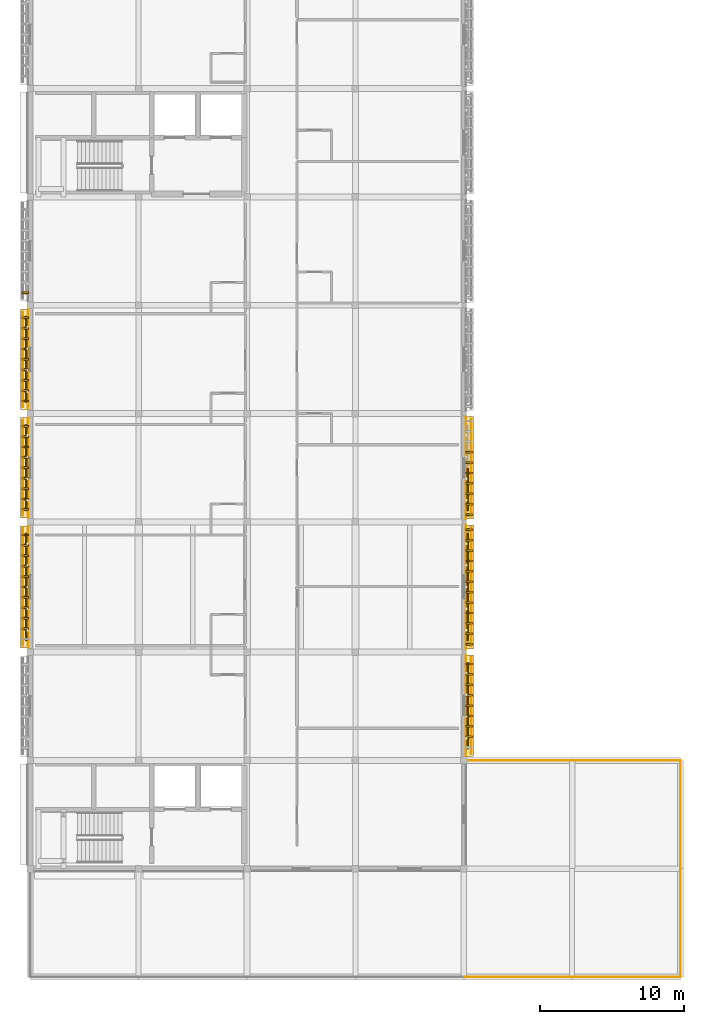
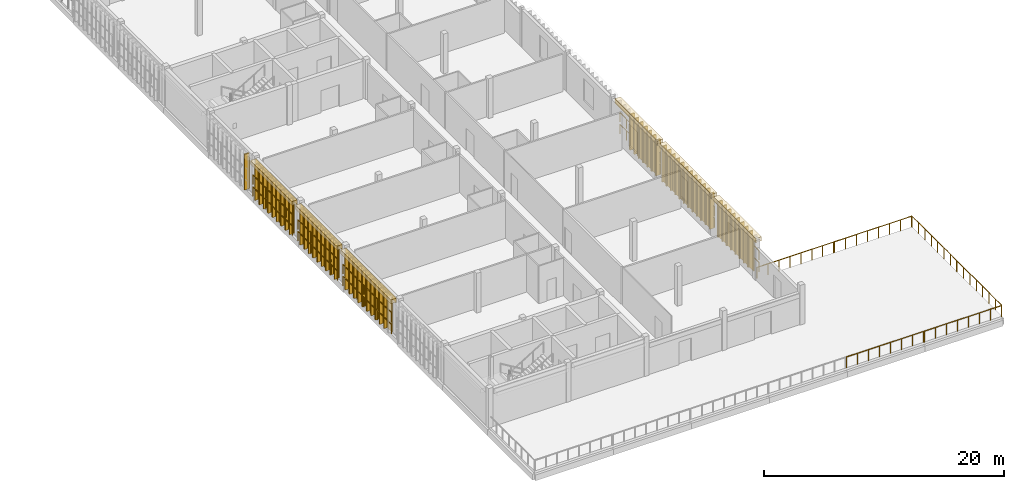
# One storey, part 10 of 13: 68 coverings, 24 shading devices, 18 railings.
"""IFC4 building model written with IfcOpenShell, lengths in metres."""

from ifc_helpers import new_model, si_unit, direction, frame, origin, origin_2d, place, context, subcontext, project, spatial, rectangle, circle, extrude, material, layer, layer_set, type_object, element, save


model = new_model("IFC4")

# Units and contexts
model_context = context("Model", 3, precision=1e-05, world=origin(), true_north=direction((0.0, 1.0)))
body_context = subcontext(model_context, "Body", "Model", "MODEL_VIEW")
ifc_project = project(units=[si_unit("LENGTHUNIT", "METRE"), si_unit("AREAUNIT", "SQUARE_METRE"), si_unit("VOLUMEUNIT", "CUBIC_METRE"), si_unit("PLANEANGLEUNIT", "RADIAN"), si_unit("MASSUNIT", "GRAM", prefix="KILO")], contexts=[model_context])

# Site, building, storey
site_placement = place(None, origin())
site = spatial("IfcSite", under=ifc_project, at=site_placement, CompositionType="ELEMENT")
building_placement = place(site_placement, origin())
building = spatial("IfcBuilding", under=site, at=building_placement, Name="Dalvernix Boulevard General Hospital", CompositionType="ELEMENT")
storey_placement = place(building_placement, frame((0.0, 0.0, 30.0)))
storey = spatial("IfcBuildingStorey", under=building, at=storey_placement, Name="L07", CompositionType="ELEMENT", Elevation=30.0)

# Coverings
ifc_material_1 = material(Name="Polychrome Catalan glazed ceramic spandrel tile panel")
ifc_layer_1 = layer(ifc_material_1, 0.044921875)
ifc_layer_set_1 = layer_set([ifc_layer_1], Name="Polychrome Catalan glazed ceramic spandrel tile panel (COV-CLD-01)")
covering_type_1 = type_object("IfcCoveringType", Name="COV-CLD-01", PredefinedType="CLADDING", material=ifc_layer_set_1)
covering_1_placement = place(storey_placement, frame((-0.159912109375, 27.0, 3.35498046875), z_axis=(0.0, 0.0, 1.0), x_axis=(0.0, 1.0, 0.0)))
element("IfcCovering", 1, at=covering_1_placement, inside=storey, type_object=covering_type_1, Name="L07 polychrome ceramic spandrel W 0-3", PredefinedType="CLADDING", context=body_context, shape_type="SweptSolid", body=[
    extrude(rectangle(XDim=8.429931640625, YDim=0.044921875, at=origin_2d()), origin(), (0.0, 0.0, 1.0), 0.449951171875),
])
for number, where, z_axis, x_axis, name in (
    (2, (-0.159912109375, 35.25, 3.35498046875), (0.0, 0.0, 1.0), (0.0, 1.0, 0.0), "L07 polychrome ceramic spandrel W 0-4"),
    (3, (-0.159912109375, 42.75, 3.35498046875), (0.0, 0.0, 1.0), (0.0, 1.0, 0.0), "L07 polychrome ceramic spandrel W 0-5"),
):
    element("IfcCovering", number, at=place(storey_placement, frame(where, z_axis=z_axis, x_axis=x_axis)), inside=storey, type_object=covering_type_1, Name=name, PredefinedType="CLADDING", context=body_context, shape_type="SweptSolid", body=[
        extrude(rectangle(XDim=6.929931640625, YDim=0.044921875, at=origin_2d()), origin(), (0.0, 0.0, 1.0), 0.449951171875),
    ])
covering_2_placement = place(storey_placement, frame((30.159912109375, 18.79248046875, 3.35498046875), z_axis=(0.0, 0.0, 1.0), x_axis=(0.0, -1.0, 0.0)))
element("IfcCovering", 4, at=covering_2_placement, inside=storey, type_object=covering_type_1, Name="L07 polychrome ceramic spandrel E 4-2", PredefinedType="CLADDING", context=body_context, shape_type="SweptSolid", body=[
    extrude(rectangle(XDim=7.014892578125, YDim=0.044921875, at=origin_2d()), origin(), (0.0, 0.0, 1.0), 0.449951171875),
])
covering_3_placement = place(storey_placement, frame((30.159912109375, 27.0, 3.35498046875), z_axis=(0.0, 0.0, 1.0), x_axis=(0.0, -1.0, 0.0)))
element("IfcCovering", 5, at=covering_3_placement, inside=storey, type_object=covering_type_1, Name="L07 polychrome ceramic spandrel E 4-3", PredefinedType="CLADDING", context=body_context, shape_type="SweptSolid", body=[
    extrude(rectangle(XDim=8.60009765625, YDim=0.044921875, at=origin_2d()), origin(), (0.0, 0.0, 1.0), 0.449951171875),
])
covering_4_placement = place(storey_placement, frame((30.159912109375, 35.25, 3.35498046875), z_axis=(0.0, 0.0, 1.0), x_axis=(0.0, -1.0, 0.0)))
element("IfcCovering", 6, at=covering_4_placement, inside=storey, type_object=covering_type_1, Name="L07 polychrome ceramic spandrel E 4-4", PredefinedType="CLADDING", context=body_context, shape_type="SweptSolid", body=[
    extrude(rectangle(XDim=7.10009765625, YDim=0.044921875, at=origin_2d()), origin(), (0.0, 0.0, 1.0), 0.449951171875),
])
ifc_material_2 = material(Name="Dressed ochre limestone classical plinth, stringcourse and corbelled cornice", Category="masonry")
ifc_layer_2 = layer(ifc_material_2, 0.449951171875)
ifc_layer_set_2 = layer_set([ifc_layer_2], Name="Dressed ochre limestone classical plinth, stringcourse and corbelled cornice (COV-CRN-01)")
covering_type_2 = type_object("IfcCoveringType", Name="COV-CRN-01", PredefinedType="CLADDING", material=ifc_layer_set_2)
covering_5_placement = place(storey_placement, frame((-0.39990234375, 27.0, 3.429931640625), z_axis=(0.0, 0.0, 1.0), x_axis=(0.0, 1.0, 0.0)))
element("IfcCovering", 7, at=covering_5_placement, inside=storey, type_object=covering_type_2, Name="L07 classical corbelled cornice frieze W 0-3", PredefinedType="CLADDING", context=body_context, shape_type="SweptSolid", body=[
    extrude(rectangle(XDim=8.429931640625, YDim=0.56005859375, at=origin_2d()), origin(), (0.0, 0.0, 1.0), 0.39990234375),
])
for number, where, z_axis, x_axis, name in (
    (8, (-0.39990234375, 35.25, 3.429931640625), (0.0, 0.0, 1.0), (0.0, 1.0, 0.0), "L07 classical corbelled cornice frieze W 0-4"),
    (9, (-0.39990234375, 42.75, 3.429931640625), (0.0, 0.0, 1.0), (0.0, 1.0, 0.0), "L07 classical corbelled cornice frieze W 0-5"),
):
    element("IfcCovering", number, at=place(storey_placement, frame(where, z_axis=z_axis, x_axis=x_axis)), inside=storey, type_object=covering_type_2, Name=name, PredefinedType="CLADDING", context=body_context, shape_type="SweptSolid", body=[
        extrude(rectangle(XDim=6.929931640625, YDim=0.56005859375, at=origin_2d()), origin(), (0.0, 0.0, 1.0), 0.39990234375),
    ])
covering_6_placement = place(storey_placement, frame((30.39990234375, 18.79248046875, 3.429931640625), z_axis=(0.0, 0.0, 1.0), x_axis=(0.0, -1.0, 0.0)))
element("IfcCovering", 10, at=covering_6_placement, inside=storey, type_object=covering_type_2, Name="L07 classical corbelled cornice frieze E 4-2", PredefinedType="CLADDING", context=body_context, shape_type="SweptSolid", body=[
    extrude(rectangle(XDim=7.014892578125, YDim=0.56005859375, at=origin_2d()), origin(), (0.0, 0.0, 1.0), 0.39990234375),
])
covering_7_placement = place(storey_placement, frame((30.39990234375, 27.0, 3.429931640625), z_axis=(0.0, 0.0, 1.0), x_axis=(0.0, -1.0, 0.0)))
element("IfcCovering", 11, at=covering_7_placement, inside=storey, type_object=covering_type_2, Name="L07 classical corbelled cornice frieze E 4-3", PredefinedType="CLADDING", context=body_context, shape_type="SweptSolid", body=[
    extrude(rectangle(XDim=8.60009765625, YDim=0.56005859375, at=origin_2d()), origin(), (0.0, 0.0, 1.0), 0.39990234375),
])
covering_8_placement = place(storey_placement, frame((30.39990234375, 35.25, 3.429931640625), z_axis=(0.0, 0.0, 1.0), x_axis=(0.0, -1.0, 0.0)))
element("IfcCovering", 12, at=covering_8_placement, inside=storey, type_object=covering_type_2, Name="L07 classical corbelled cornice frieze E 4-4", PredefinedType="CLADDING", context=body_context, shape_type="SweptSolid", body=[
    extrude(rectangle(XDim=7.10009765625, YDim=0.56005859375, at=origin_2d()), origin(), (0.0, 0.0, 1.0), 0.39990234375),
])
ifc_material_3 = material(Name="Preservative-treated West African iroko timber lattice screen", Category="wood")
ifc_layer_3 = layer(ifc_material_3, 0.1201171875)
ifc_layer_set_3 = layer_set([ifc_layer_3], Name="Preservative-treated West African iroko timber lattice screen (COV-TSCR-01)")
covering_type_3 = type_object("IfcCoveringType", Name="COV-TSCR-01", PredefinedType="CLADDING", material=ifc_layer_set_3)
for number, where, z_axis, x_axis, name in (
    (13, (-0.360107421875, 24.1201171875, 0.10009765625), (0.0, 0.0, 1.0), (0.0, 1.0, 0.0), "L07 upper-ward timber screen blade W 0-3-2"),
    (14, (-0.360107421875, 24.840087890625, 0.10009765625), (0.0, 0.0, 1.0), (0.0, 1.0, 0.0), "L07 upper-ward timber screen blade W 0-3-3"),
    (15, (-0.360107421875, 25.56005859375, 0.10009765625), (0.0, 0.0, 1.0), (0.0, 1.0, 0.0), "L07 upper-ward timber screen blade W 0-3-4"),
    (16, (-0.360107421875, 26.280029296875, 0.10009765625), (0.0, 0.0, 1.0), (0.0, 1.0, 0.0), "L07 upper-ward timber screen blade W 0-3-5"),
    (17, (-0.360107421875, 27.0, 0.10009765625), (0.0, 0.0, 1.0), (0.0, 1.0, 0.0), "L07 upper-ward timber screen blade W 0-3-6"),
    (18, (-0.360107421875, 27.719970703125, 0.10009765625), (0.0, 0.0, 1.0), (0.0, 1.0, 0.0), "L07 upper-ward timber screen blade W 0-3-7"),
    (19, (-0.360107421875, 28.43994140625, 0.10009765625), (0.0, 0.0, 1.0), (0.0, 1.0, 0.0), "L07 upper-ward timber screen blade W 0-3-8"),
    (20, (-0.360107421875, 29.159912109375, 0.10009765625), (0.0, 0.0, 1.0), (0.0, 1.0, 0.0), "L07 upper-ward timber screen blade W 0-3-9"),
    (21, (-0.360107421875, 29.8798828125, 0.10009765625), (0.0, 0.0, 1.0), (0.0, 1.0, 0.0), "L07 upper-ward timber screen blade W 0-3-10"),
    (22, (-0.360107421875, 30.60009765625, 0.10009765625), (0.0, 0.0, 1.0), (0.0, 1.0, 0.0), "L07 upper-ward timber screen blade W 0-3-11"),
    (23, (-0.360107421875, 32.3701171875, 0.10009765625), (0.0, 0.0, 1.0), (0.0, 1.0, 0.0), "L07 upper-ward timber screen blade W 0-4-1"),
    (24, (-0.360107421875, 33.090087890625, 0.10009765625), (0.0, 0.0, 1.0), (0.0, 1.0, 0.0), "L07 upper-ward timber screen blade W 0-4-2"),
    (25, (-0.360107421875, 33.81005859375, 0.10009765625), (0.0, 0.0, 1.0), (0.0, 1.0, 0.0), "L07 upper-ward timber screen blade W 0-4-3"),
    (26, (-0.360107421875, 34.530029296875, 0.10009765625), (0.0, 0.0, 1.0), (0.0, 1.0, 0.0), "L07 upper-ward timber screen blade W 0-4-4"),
    (27, (-0.360107421875, 35.25, 0.10009765625), (0.0, 0.0, 1.0), (0.0, 1.0, 0.0), "L07 upper-ward timber screen blade W 0-4-5"),
    (28, (-0.360107421875, 35.969970703125, 0.10009765625), (0.0, 0.0, 1.0), (0.0, 1.0, 0.0), "L07 upper-ward timber screen blade W 0-4-6"),
    (29, (-0.360107421875, 36.68994140625, 0.10009765625), (0.0, 0.0, 1.0), (0.0, 1.0, 0.0), "L07 upper-ward timber screen blade W 0-4-7"),
    (30, (-0.360107421875, 37.409912109375, 0.10009765625), (0.0, 0.0, 1.0), (0.0, 1.0, 0.0), "L07 upper-ward timber screen blade W 0-4-8"),
    (31, (-0.360107421875, 38.1298828125, 0.10009765625), (0.0, 0.0, 1.0), (0.0, 1.0, 0.0), "L07 upper-ward timber screen blade W 0-4-9"),
    (32, (-0.360107421875, 39.8701171875, 0.10009765625), (0.0, 0.0, 1.0), (0.0, 1.0, 0.0), "L07 upper-ward timber screen blade W 0-5-1"),
    (33, (-0.360107421875, 40.590087890625, 0.10009765625), (0.0, 0.0, 1.0), (0.0, 1.0, 0.0), "L07 upper-ward timber screen blade W 0-5-2"),
    (34, (-0.360107421875, 41.31005859375, 0.10009765625), (0.0, 0.0, 1.0), (0.0, 1.0, 0.0), "L07 upper-ward timber screen blade W 0-5-3"),
    (35, (-0.360107421875, 42.030029296875, 0.10009765625), (0.0, 0.0, 1.0), (0.0, 1.0, 0.0), "L07 upper-ward timber screen blade W 0-5-4"),
    (36, (-0.360107421875, 42.75, 0.10009765625), (0.0, 0.0, 1.0), (0.0, 1.0, 0.0), "L07 upper-ward timber screen blade W 0-5-5"),
    (37, (-0.360107421875, 43.469970703125, 0.10009765625), (0.0, 0.0, 1.0), (0.0, 1.0, 0.0), "L07 upper-ward timber screen blade W 0-5-6"),
    (38, (-0.360107421875, 44.18994140625, 0.10009765625), (0.0, 0.0, 1.0), (0.0, 1.0, 0.0), "L07 upper-ward timber screen blade W 0-5-7"),
    (39, (-0.360107421875, 44.909912109375, 0.10009765625), (0.0, 0.0, 1.0), (0.0, 1.0, 0.0), "L07 upper-ward timber screen blade W 0-5-8"),
    (40, (-0.360107421875, 45.6298828125, 0.10009765625), (0.0, 0.0, 1.0), (0.0, 1.0, 0.0), "L07 upper-ward timber screen blade W 0-5-9"),
    (41, (-0.360107421875, 47.3701171875, 0.10009765625), (0.0, 0.0, 1.0), (0.0, 1.0, 0.0), "L07 upper-ward timber screen blade W 0-6-1"),
    (42, (30.360107421875, 21.672607421875, 0.10009765625), (0.0, 0.0, 1.0), (0.0, -1.0, 0.0), "L07 upper-ward timber screen blade E 4-2-1"),
    (43, (30.360107421875, 20.952392578125, 0.10009765625), (0.0, 0.0, 1.0), (0.0, -1.0, 0.0), "L07 upper-ward timber screen blade E 4-2-2"),
    (44, (30.360107421875, 20.232421875, 0.10009765625), (0.0, 0.0, 1.0), (0.0, -1.0, 0.0), "L07 upper-ward timber screen blade E 4-2-3"),
    (45, (30.360107421875, 19.512451171875, 0.10009765625), (0.0, 0.0, 1.0), (0.0, -1.0, 0.0), "L07 upper-ward timber screen blade E 4-2-4"),
    (46, (30.360107421875, 18.79248046875, 0.10009765625), (0.0, 0.0, 1.0), (0.0, -1.0, 0.0), "L07 upper-ward timber screen blade E 4-2-5"),
    (47, (30.360107421875, 18.072509765625, 0.10009765625), (0.0, 0.0, 1.0), (0.0, -1.0, 0.0), "L07 upper-ward timber screen blade E 4-2-6"),
    (48, (30.360107421875, 17.3525390625, 0.10009765625), (0.0, 0.0, 1.0), (0.0, -1.0, 0.0), "L07 upper-ward timber screen blade E 4-2-7"),
    (49, (30.360107421875, 16.632568359375, 0.10009765625), (0.0, 0.0, 1.0), (0.0, -1.0, 0.0), "L07 upper-ward timber screen blade E 4-2-8"),
    (50, (30.360107421875, 30.9599609375, 0.10009765625), (0.0, 0.0, 1.0), (0.0, -1.0, 0.0), "L07 upper-ward timber screen blade E 4-3-1"),
    (51, (30.360107421875, 30.239990234375, 0.10009765625), (0.0, 0.0, 1.0), (0.0, -1.0, 0.0), "L07 upper-ward timber screen blade E 4-3-2"),
    (52, (30.360107421875, 29.52001953125, 0.10009765625), (0.0, 0.0, 1.0), (0.0, -1.0, 0.0), "L07 upper-ward timber screen blade E 4-3-3"),
    (53, (30.360107421875, 28.800048828125, 0.10009765625), (0.0, 0.0, 1.0), (0.0, -1.0, 0.0), "L07 upper-ward timber screen blade E 4-3-4"),
    (54, (30.360107421875, 28.080078125, 0.10009765625), (0.0, 0.0, 1.0), (0.0, -1.0, 0.0), "L07 upper-ward timber screen blade E 4-3-5"),
    (55, (30.360107421875, 27.360107421875, 0.10009765625), (0.0, 0.0, 1.0), (0.0, -1.0, 0.0), "L07 upper-ward timber screen blade E 4-3-6"),
    (56, (30.360107421875, 26.639892578125, 0.10009765625), (0.0, 0.0, 1.0), (0.0, -1.0, 0.0), "L07 upper-ward timber screen blade E 4-3-7"),
    (57, (30.360107421875, 25.919921875, 0.10009765625), (0.0, 0.0, 1.0), (0.0, -1.0, 0.0), "L07 upper-ward timber screen blade E 4-3-8"),
    (58, (30.360107421875, 25.199951171875, 0.10009765625), (0.0, 0.0, 1.0), (0.0, -1.0, 0.0), "L07 upper-ward timber screen blade E 4-3-9"),
    (59, (30.360107421875, 24.47998046875, 0.10009765625), (0.0, 0.0, 1.0), (0.0, -1.0, 0.0), "L07 upper-ward timber screen blade E 4-3-10"),
    (60, (30.360107421875, 23.760009765625, 0.10009765625), (0.0, 0.0, 1.0), (0.0, -1.0, 0.0), "L07 upper-ward timber screen blade E 4-3-11"),
    (61, (30.360107421875, 23.0400390625, 0.10009765625), (0.0, 0.0, 1.0), (0.0, -1.0, 0.0), "L07 upper-ward timber screen blade E 4-3-12"),
    (62, (30.360107421875, 36.330078125, 0.10009765625), (0.0, 0.0, 1.0), (0.0, -1.0, 0.0), "L07 upper-ward timber screen blade E 4-4-4"),
    (63, (30.360107421875, 35.610107421875, 0.10009765625), (0.0, 0.0, 1.0), (0.0, -1.0, 0.0), "L07 upper-ward timber screen blade E 4-4-5"),
    (64, (30.360107421875, 34.889892578125, 0.10009765625), (0.0, 0.0, 1.0), (0.0, -1.0, 0.0), "L07 upper-ward timber screen blade E 4-4-6"),
    (65, (30.360107421875, 34.169921875, 0.10009765625), (0.0, 0.0, 1.0), (0.0, -1.0, 0.0), "L07 upper-ward timber screen blade E 4-4-7"),
    (66, (30.360107421875, 33.449951171875, 0.10009765625), (0.0, 0.0, 1.0), (0.0, -1.0, 0.0), "L07 upper-ward timber screen blade E 4-4-8"),
    (67, (30.360107421875, 32.72998046875, 0.10009765625), (0.0, 0.0, 1.0), (0.0, -1.0, 0.0), "L07 upper-ward timber screen blade E 4-4-9"),
    (68, (30.360107421875, 32.010009765625, 0.10009765625), (0.0, 0.0, 1.0), (0.0, -1.0, 0.0), "L07 upper-ward timber screen blade E 4-4-10"),
):
    element("IfcCovering", number, at=place(storey_placement, frame(where, z_axis=z_axis, x_axis=x_axis)), inside=storey, type_object=covering_type_3, Name=name, PredefinedType="CLADDING", context=body_context, shape_type="SweptSolid", body=[
        extrude(rectangle(XDim=0.1298828125, YDim=0.47998046875, at=origin_2d()), origin(), (0.0, 0.0, 1.0), 3.6298828125),
    ])

# Railings
ifc_material_4 = material(Name="Powder-coated galvanized steel balustrade", Category="steel")
railing_type_1 = type_object("IfcRailingType", Name="RL-GR-EXT1", PredefinedType="BALUSTRADE", material=ifc_material_4)
railing_1_placement = place(storey_placement, frame((30.090087890625, 15.0, 0.0)))
element("IfcRailing", 69, at=railing_1_placement, inside=storey, type_object=railing_type_1, Name="L07 terrace safety balustrade 1", PredefinedType="BALUSTRADE", context=body_context, shape_type="SweptSolid", body=[
    extrude(circle(Radius=0.02392578125, at=origin_2d()), frame((0.0, 0.0, 1.09619140625), z_axis=(1.0, 0.0, 0.0), x_axis=(0.0, 1.0, 0.0)), (0.0, 0.0, 1.0), 7.369873046875),
    extrude(circle(Radius=0.02099609375, at=origin_2d()), origin(), (0.0, 0.0, 1.0), 1.072021484375),
    extrude(circle(Radius=0.02099609375, at=origin_2d()), frame((1.052734375, 0.0, 0.0)), (0.0, 0.0, 1.0), 1.072021484375),
    extrude(circle(Radius=0.02099609375, at=origin_2d()), frame((2.105712890625, 0.0, 0.0)), (0.0, 0.0, 1.0), 1.072021484375),
    extrude(circle(Radius=0.02099609375, at=origin_2d()), frame((3.158447265625, 0.0, 0.0)), (0.0, 0.0, 1.0), 1.072021484375),
    extrude(circle(Radius=0.02099609375, at=origin_2d()), frame((4.21142578125, 0.0, 0.0)), (0.0, 0.0, 1.0), 1.072021484375),
    extrude(circle(Radius=0.02099609375, at=origin_2d()), frame((5.26416015625, 0.0, 0.0)), (0.0, 0.0, 1.0), 1.072021484375),
    extrude(circle(Radius=0.02099609375, at=origin_2d()), frame((6.317138671875, 0.0, 0.0)), (0.0, 0.0, 1.0), 1.072021484375),
    extrude(circle(Radius=0.02099609375, at=origin_2d()), frame((7.369873046875, 0.0, 0.0)), (0.0, 0.0, 1.0), 1.072021484375),
])
railing_2_placement = place(storey_placement, frame((37.5400390625, 15.0, 0.0)))
element("IfcRailing", 70, at=railing_2_placement, inside=storey, type_object=railing_type_1, Name="L07 terrace safety balustrade 2", PredefinedType="BALUSTRADE", context=body_context, shape_type="SweptSolid", body=[
    extrude(circle(Radius=0.02392578125, at=origin_2d()), frame((0.0, 0.0, 1.09619140625), z_axis=(1.0, 0.0, 0.0), x_axis=(0.0, 1.0, 0.0)), (0.0, 0.0, 1.0), 7.419921875),
    extrude(circle(Radius=0.02099609375, at=origin_2d()), origin(), (0.0, 0.0, 1.0), 1.072021484375),
    extrude(circle(Radius=0.02099609375, at=origin_2d()), frame((1.06005859375, 0.0, 0.0)), (0.0, 0.0, 1.0), 1.072021484375),
    extrude(circle(Radius=0.02099609375, at=origin_2d()), frame((2.119873046875, 0.0, 0.0)), (0.0, 0.0, 1.0), 1.072021484375),
    extrude(circle(Radius=0.02099609375, at=origin_2d()), frame((3.179931640625, 0.0, 0.0)), (0.0, 0.0, 1.0), 1.072021484375),
    extrude(circle(Radius=0.02099609375, at=origin_2d()), frame((4.239990234375, 0.0, 0.0)), (0.0, 0.0, 1.0), 1.072021484375),
    extrude(circle(Radius=0.02099609375, at=origin_2d()), frame((5.300048828125, 0.0, 0.0)), (0.0, 0.0, 1.0), 1.072021484375),
    extrude(circle(Radius=0.02099609375, at=origin_2d()), frame((6.35986328125, 0.0, 0.0)), (0.0, 0.0, 1.0), 1.072021484375),
    extrude(circle(Radius=0.02099609375, at=origin_2d()), frame((7.419921875, 0.0, 0.0)), (0.0, 0.0, 1.0), 1.072021484375),
])
for number, where, name in (
    (71, (45.0, 14.9599609375, 0.0), "L07 terrace safety balustrade 3"),
    (72, (45.0, 7.4599609375, 0.0), "L07 terrace safety balustrade 4"),
):
    element("IfcRailing", number, at=place(storey_placement, frame(where)), inside=storey, type_object=railing_type_1, Name=name, PredefinedType="BALUSTRADE", context=body_context, shape_type="SweptSolid", body=[
        extrude(circle(Radius=0.02392578125, at=origin_2d()), frame((0.0, 0.0, 1.09619140625), z_axis=(0.0, -1.0, 0.0), x_axis=(1.0, 0.0, 0.0)), (0.0, 0.0, 1.0), 7.419921875),
        extrude(circle(Radius=0.02099609375, at=origin_2d()), origin(), (0.0, 0.0, 1.0), 1.072021484375),
        extrude(circle(Radius=0.02099609375, at=origin_2d()), frame((0.0, -1.06005859375, 0.0)), (0.0, 0.0, 1.0), 1.072021484375),
        extrude(circle(Radius=0.02099609375, at=origin_2d()), frame((0.0, -2.119873046875, 0.0)), (0.0, 0.0, 1.0), 1.072021484375),
        extrude(circle(Radius=0.02099609375, at=origin_2d()), frame((0.0, -3.179931640625, 0.0)), (0.0, 0.0, 1.0), 1.072021484375),
        extrude(circle(Radius=0.02099609375, at=origin_2d()), frame((0.0, -4.239990234375, 0.0)), (0.0, 0.0, 1.0), 1.072021484375),
        extrude(circle(Radius=0.02099609375, at=origin_2d()), frame((0.0, -5.300048828125, 0.0)), (0.0, 0.0, 1.0), 1.072021484375),
        extrude(circle(Radius=0.02099609375, at=origin_2d()), frame((0.0, -6.35986328125, 0.0)), (0.0, 0.0, 1.0), 1.072021484375),
        extrude(circle(Radius=0.02099609375, at=origin_2d()), frame((0.0, -7.419921875, 0.0)), (0.0, 0.0, 1.0), 1.072021484375),
    ])
for number, where, name in (
    (73, (44.9599609375, 0.0, 0.0), "L07 terrace safety balustrade 5"),
    (74, (37.4599609375, 0.0, 0.0), "L07 terrace safety balustrade 6"),
):
    element("IfcRailing", number, at=place(storey_placement, frame(where)), inside=storey, type_object=railing_type_1, Name=name, PredefinedType="BALUSTRADE", context=body_context, shape_type="SweptSolid", body=[
        extrude(circle(Radius=0.02392578125, at=origin_2d()), frame((0.0, 0.0, 1.09619140625), z_axis=(-1.0, 0.0, 0.0), x_axis=(0.0, -1.0, 0.0)), (0.0, 0.0, 1.0), 7.419921875),
        extrude(circle(Radius=0.02099609375, at=origin_2d()), origin(), (0.0, 0.0, 1.0), 1.072021484375),
        extrude(circle(Radius=0.02099609375, at=origin_2d()), frame((-1.06005859375, 0.0, 0.0)), (0.0, 0.0, 1.0), 1.072021484375),
        extrude(circle(Radius=0.02099609375, at=origin_2d()), frame((-2.119873046875, 0.0, 0.0)), (0.0, 0.0, 1.0), 1.072021484375),
        extrude(circle(Radius=0.02099609375, at=origin_2d()), frame((-3.179931640625, 0.0, 0.0)), (0.0, 0.0, 1.0), 1.072021484375),
        extrude(circle(Radius=0.02099609375, at=origin_2d()), frame((-4.239990234375, 0.0, 0.0)), (0.0, 0.0, 1.0), 1.072021484375),
        extrude(circle(Radius=0.02099609375, at=origin_2d()), frame((-5.300048828125, 0.0, 0.0)), (0.0, 0.0, 1.0), 1.072021484375),
        extrude(circle(Radius=0.02099609375, at=origin_2d()), frame((-6.35986328125, 0.0, 0.0)), (0.0, 0.0, 1.0), 1.072021484375),
        extrude(circle(Radius=0.02099609375, at=origin_2d()), frame((-7.419921875, 0.0, 0.0)), (0.0, 0.0, 1.0), 1.072021484375),
    ])
ifc_material_5 = material(Name="Preservative-treated iroko timber horizontal screen louver rail", Category="wood")
railing_type_2 = type_object("IfcRailingType", Name="RL-TSCR-01", PredefinedType="BALUSTRADE", material=ifc_material_5)
for number, where, name in (
    (75, (-0.52001953125, 22.955078125, 0.25), "L07 upper-ward horizontal timber screen louver W 0-3-1"),
    (76, (-0.52001953125, 22.955078125, 1.449951171875), "L07 upper-ward horizontal timber screen louver W 0-3-2"),
):
    element("IfcRailing", number, at=place(storey_placement, frame(where)), inside=storey, type_object=railing_type_2, Name=name, PredefinedType="BALUSTRADE", context=body_context, shape_type="SweptSolid", body=[
        extrude(circle(Radius=0.02392578125, at=origin_2d()), frame((0.0, 0.0, 0.92578125), z_axis=(0.0, 1.0, 0.0), x_axis=(-1.0, 0.0, 0.0)), (0.0, 0.0, 1.0), 8.08984375),
        extrude(circle(Radius=0.02099609375, at=origin_2d()), origin(), (0.0, 0.0, 1.0), 0.90185546875),
        extrude(circle(Radius=0.02099609375, at=origin_2d()), frame((0.0, 1.15576171875, 0.0)), (0.0, 0.0, 1.0), 0.90185546875),
        extrude(circle(Radius=0.02099609375, at=origin_2d()), frame((0.0, 2.311279296875, 0.0)), (0.0, 0.0, 1.0), 0.90185546875),
        extrude(circle(Radius=0.02099609375, at=origin_2d()), frame((0.0, 3.467041015625, 0.0)), (0.0, 0.0, 1.0), 0.90185546875),
        extrude(circle(Radius=0.02099609375, at=origin_2d()), frame((0.0, 4.622802734375, 0.0)), (0.0, 0.0, 1.0), 0.90185546875),
        extrude(circle(Radius=0.02099609375, at=origin_2d()), frame((0.0, 5.778564453125, 0.0)), (0.0, 0.0, 1.0), 0.90185546875),
        extrude(circle(Radius=0.02099609375, at=origin_2d()), frame((0.0, 6.93408203125, 0.0)), (0.0, 0.0, 1.0), 0.90185546875),
        extrude(circle(Radius=0.02099609375, at=origin_2d()), frame((0.0, 8.08984375, 0.0)), (0.0, 0.0, 1.0), 0.90185546875),
    ])
for number, where, name in (
    (77, (-0.52001953125, 31.955078125, 0.25), "L07 upper-ward horizontal timber screen louver W 0-4-1"),
    (78, (-0.52001953125, 31.955078125, 1.449951171875), "L07 upper-ward horizontal timber screen louver W 0-4-2"),
    (79, (-0.52001953125, 39.455078125, 0.25), "L07 upper-ward horizontal timber screen louver W 0-5-1"),
    (80, (-0.52001953125, 39.455078125, 1.449951171875), "L07 upper-ward horizontal timber screen louver W 0-5-2"),
):
    element("IfcRailing", number, at=place(storey_placement, frame(where)), inside=storey, type_object=railing_type_2, Name=name, PredefinedType="BALUSTRADE", context=body_context, shape_type="SweptSolid", body=[
        extrude(circle(Radius=0.02392578125, at=origin_2d()), frame((0.0, 0.0, 0.92578125), z_axis=(0.0, 1.0, 0.0), x_axis=(-1.0, 0.0, 0.0)), (0.0, 0.0, 1.0), 6.58984375),
        extrude(circle(Radius=0.02099609375, at=origin_2d()), origin(), (0.0, 0.0, 1.0), 0.90185546875),
        extrude(circle(Radius=0.02099609375, at=origin_2d()), frame((0.0, 1.098388671875, 0.0)), (0.0, 0.0, 1.0), 0.90185546875),
        extrude(circle(Radius=0.02099609375, at=origin_2d()), frame((0.0, 2.196533203125, 0.0)), (0.0, 0.0, 1.0), 0.90185546875),
        extrude(circle(Radius=0.02099609375, at=origin_2d()), frame((0.0, 3.294921875, 0.0)), (0.0, 0.0, 1.0), 0.90185546875),
        extrude(circle(Radius=0.02099609375, at=origin_2d()), frame((0.0, 4.393310546875, 0.0)), (0.0, 0.0, 1.0), 0.90185546875),
        extrude(circle(Radius=0.02099609375, at=origin_2d()), frame((0.0, 5.491455078125, 0.0)), (0.0, 0.0, 1.0), 0.90185546875),
        extrude(circle(Radius=0.02099609375, at=origin_2d()), frame((0.0, 6.58984375, 0.0)), (0.0, 0.0, 1.0), 0.90185546875),
    ])
for number, where, name in (
    (81, (30.52001953125, 22.1298828125, 0.25), "L07 upper-ward horizontal timber screen louver E 4-2-1"),
    (82, (30.52001953125, 22.1298828125, 1.449951171875), "L07 upper-ward horizontal timber screen louver E 4-2-2"),
):
    element("IfcRailing", number, at=place(storey_placement, frame(where)), inside=storey, type_object=railing_type_2, Name=name, PredefinedType="BALUSTRADE", context=body_context, shape_type="SweptSolid", body=[
        extrude(circle(Radius=0.02392578125, at=origin_2d()), frame((0.0, 0.0, 0.92578125), z_axis=(0.0, -1.0, 0.0), x_axis=(1.0, 0.0, 0.0)), (0.0, 0.0, 1.0), 6.6748046875),
        extrude(circle(Radius=0.02099609375, at=origin_2d()), origin(), (0.0, 0.0, 1.0), 0.90185546875),
        extrude(circle(Radius=0.02099609375, at=origin_2d()), frame((0.0, -1.112548828125, 0.0)), (0.0, 0.0, 1.0), 0.90185546875),
        extrude(circle(Radius=0.02099609375, at=origin_2d()), frame((0.0, -2.224853515625, 0.0)), (0.0, 0.0, 1.0), 0.90185546875),
        extrude(circle(Radius=0.02099609375, at=origin_2d()), frame((0.0, -3.33740234375, 0.0)), (0.0, 0.0, 1.0), 0.90185546875),
        extrude(circle(Radius=0.02099609375, at=origin_2d()), frame((0.0, -4.449951171875, 0.0)), (0.0, 0.0, 1.0), 0.90185546875),
        extrude(circle(Radius=0.02099609375, at=origin_2d()), frame((0.0, -5.562255859375, 0.0)), (0.0, 0.0, 1.0), 0.90185546875),
        extrude(circle(Radius=0.02099609375, at=origin_2d()), frame((0.0, -6.6748046875, 0.0)), (0.0, 0.0, 1.0), 0.90185546875),
    ])
for number, where, name in (
    (83, (30.52001953125, 31.1298828125, 0.25), "L07 upper-ward horizontal timber screen louver E 4-3-1"),
    (84, (30.52001953125, 31.1298828125, 1.449951171875), "L07 upper-ward horizontal timber screen louver E 4-3-2"),
):
    element("IfcRailing", number, at=place(storey_placement, frame(where)), inside=storey, type_object=railing_type_2, Name=name, PredefinedType="BALUSTRADE", context=body_context, shape_type="SweptSolid", body=[
        extrude(circle(Radius=0.02392578125, at=origin_2d()), frame((0.0, 0.0, 0.92578125), z_axis=(0.0, -1.0, 0.0), x_axis=(1.0, 0.0, 0.0)), (0.0, 0.0, 1.0), 8.259765625),
        extrude(circle(Radius=0.02099609375, at=origin_2d()), origin(), (0.0, 0.0, 1.0), 0.90185546875),
        extrude(circle(Radius=0.02099609375, at=origin_2d()), frame((0.0, -1.179931640625, 0.0)), (0.0, 0.0, 1.0), 0.90185546875),
        extrude(circle(Radius=0.02099609375, at=origin_2d()), frame((0.0, -2.35986328125, 0.0)), (0.0, 0.0, 1.0), 0.90185546875),
        extrude(circle(Radius=0.02099609375, at=origin_2d()), frame((0.0, -3.539794921875, 0.0)), (0.0, 0.0, 1.0), 0.90185546875),
        extrude(circle(Radius=0.02099609375, at=origin_2d()), frame((0.0, -4.719970703125, 0.0)), (0.0, 0.0, 1.0), 0.90185546875),
        extrude(circle(Radius=0.02099609375, at=origin_2d()), frame((0.0, -5.89990234375, 0.0)), (0.0, 0.0, 1.0), 0.90185546875),
        extrude(circle(Radius=0.02099609375, at=origin_2d()), frame((0.0, -7.079833984375, 0.0)), (0.0, 0.0, 1.0), 0.90185546875),
        extrude(circle(Radius=0.02099609375, at=origin_2d()), frame((0.0, -8.259765625, 0.0)), (0.0, 0.0, 1.0), 0.90185546875),
    ])
for number, where, name in (
    (85, (30.52001953125, 38.6298828125, 0.25), "L07 upper-ward horizontal timber screen louver E 4-4-1"),
    (86, (30.52001953125, 38.6298828125, 1.449951171875), "L07 upper-ward horizontal timber screen louver E 4-4-2"),
):
    element("IfcRailing", number, at=place(storey_placement, frame(where)), inside=storey, type_object=railing_type_2, Name=name, PredefinedType="BALUSTRADE", context=body_context, shape_type="SweptSolid", body=[
        extrude(circle(Radius=0.02392578125, at=origin_2d()), frame((0.0, 0.0, 0.92578125), z_axis=(0.0, -1.0, 0.0), x_axis=(1.0, 0.0, 0.0)), (0.0, 0.0, 1.0), 6.759765625),
        extrude(circle(Radius=0.02099609375, at=origin_2d()), origin(), (0.0, 0.0, 1.0), 0.90185546875),
        extrude(circle(Radius=0.02099609375, at=origin_2d()), frame((0.0, -1.126708984375, 0.0)), (0.0, 0.0, 1.0), 0.90185546875),
        extrude(circle(Radius=0.02099609375, at=origin_2d()), frame((0.0, -2.253173828125, 0.0)), (0.0, 0.0, 1.0), 0.90185546875),
        extrude(circle(Radius=0.02099609375, at=origin_2d()), frame((0.0, -3.3798828125, 0.0)), (0.0, 0.0, 1.0), 0.90185546875),
        extrude(circle(Radius=0.02099609375, at=origin_2d()), frame((0.0, -4.506591796875, 0.0)), (0.0, 0.0, 1.0), 0.90185546875),
        extrude(circle(Radius=0.02099609375, at=origin_2d()), frame((0.0, -5.633056640625, 0.0)), (0.0, 0.0, 1.0), 0.90185546875),
        extrude(circle(Radius=0.02099609375, at=origin_2d()), frame((0.0, -6.759765625, 0.0)), (0.0, 0.0, 1.0), 0.90185546875),
    ])

# Shading devices
ifc_material_6 = material(Name="Perforated iroko timber and glazed ceramic screen (30 percent open)", Category="wood")
shading_device_type = type_object("IfcShadingDeviceType", Name="SHD-SCR-01", PredefinedType="USERDEFINED", material=ifc_material_6)
for number, where, z_axis, x_axis, name in (
    (87, (-0.260009765625, 24.0, 0.14990234375), (0.0, 0.0, 1.0), (0.0, 1.0, 0.0), "L07 perforated timber screen 1"),
    (88, (-0.260009765625, 25.5, 0.14990234375), (0.0, 0.0, 1.0), (0.0, 1.0, 0.0), "L07 perforated timber screen 2"),
    (89, (-0.260009765625, 27.0, 0.14990234375), (0.0, 0.0, 1.0), (0.0, 1.0, 0.0), "L07 perforated timber screen 3"),
    (90, (-0.260009765625, 28.5, 0.14990234375), (0.0, 0.0, 1.0), (0.0, 1.0, 0.0), "L07 perforated timber screen 4"),
    (91, (-0.260009765625, 30.0, 0.14990234375), (0.0, 0.0, 1.0), (0.0, 1.0, 0.0), "L07 perforated timber screen 5"),
    (92, (-0.260009765625, 33.0, 0.14990234375), (0.0, 0.0, 1.0), (0.0, 1.0, 0.0), "L07 perforated timber screen 1"),
    (93, (-0.260009765625, 34.5, 0.14990234375), (0.0, 0.0, 1.0), (0.0, 1.0, 0.0), "L07 perforated timber screen 2"),
    (94, (-0.260009765625, 36.0, 0.14990234375), (0.0, 0.0, 1.0), (0.0, 1.0, 0.0), "L07 perforated timber screen 3"),
    (95, (-0.260009765625, 37.5, 0.14990234375), (0.0, 0.0, 1.0), (0.0, 1.0, 0.0), "L07 perforated timber screen 4"),
    (96, (-0.260009765625, 40.5, 0.14990234375), (0.0, 0.0, 1.0), (0.0, 1.0, 0.0), "L07 perforated timber screen 1"),
    (97, (-0.260009765625, 42.0, 0.14990234375), (0.0, 0.0, 1.0), (0.0, 1.0, 0.0), "L07 perforated timber screen 2"),
    (98, (-0.260009765625, 43.5, 0.14990234375), (0.0, 0.0, 1.0), (0.0, 1.0, 0.0), "L07 perforated timber screen 3"),
    (99, (-0.260009765625, 45.0, 0.14990234375), (0.0, 0.0, 1.0), (0.0, 1.0, 0.0), "L07 perforated timber screen 4"),
    (100, (30.260009765625, 21.04248046875, 0.14990234375), (0.0, 0.0, 1.0), (0.0, -1.0, 0.0), "L07 perforated timber screen 1"),
    (101, (30.260009765625, 19.54248046875, 0.14990234375), (0.0, 0.0, 1.0), (0.0, -1.0, 0.0), "L07 perforated timber screen 2"),
    (102, (30.260009765625, 18.04248046875, 0.14990234375), (0.0, 0.0, 1.0), (0.0, -1.0, 0.0), "L07 perforated timber screen 3"),
    (103, (30.260009765625, 16.54248046875, 0.14990234375), (0.0, 0.0, 1.0), (0.0, -1.0, 0.0), "L07 perforated timber screen 4"),
    (104, (30.260009765625, 30.0, 0.14990234375), (0.0, 0.0, 1.0), (0.0, -1.0, 0.0), "L07 perforated timber screen 1"),
    (105, (30.260009765625, 28.5, 0.14990234375), (0.0, 0.0, 1.0), (0.0, -1.0, 0.0), "L07 perforated timber screen 2"),
    (106, (30.260009765625, 27.0, 0.14990234375), (0.0, 0.0, 1.0), (0.0, -1.0, 0.0), "L07 perforated timber screen 3"),
    (107, (30.260009765625, 25.5, 0.14990234375), (0.0, 0.0, 1.0), (0.0, -1.0, 0.0), "L07 perforated timber screen 4"),
    (108, (30.260009765625, 24.0, 0.14990234375), (0.0, 0.0, 1.0), (0.0, -1.0, 0.0), "L07 perforated timber screen 5"),
    (109, (30.260009765625, 34.5, 0.14990234375), (0.0, 0.0, 1.0), (0.0, -1.0, 0.0), "L07 perforated timber screen 3"),
    (110, (30.260009765625, 33.0, 0.14990234375), (0.0, 0.0, 1.0), (0.0, -1.0, 0.0), "L07 perforated timber screen 4"),
):
    element("IfcShadingDevice", number, at=place(storey_placement, frame(where, z_axis=z_axis, x_axis=x_axis)), inside=storey, type_object=shading_device_type, Name=name, ObjectType="SCREEN", PredefinedType="USERDEFINED", context=body_context, shape_type="SweptSolid", body=[
        extrude(rectangle(XDim=1.4599609375, YDim=0.080078125, at=origin_2d()), origin(), (0.0, 0.0, 1.0), 3.530029296875),
    ])

save(model, "model.ifc")
